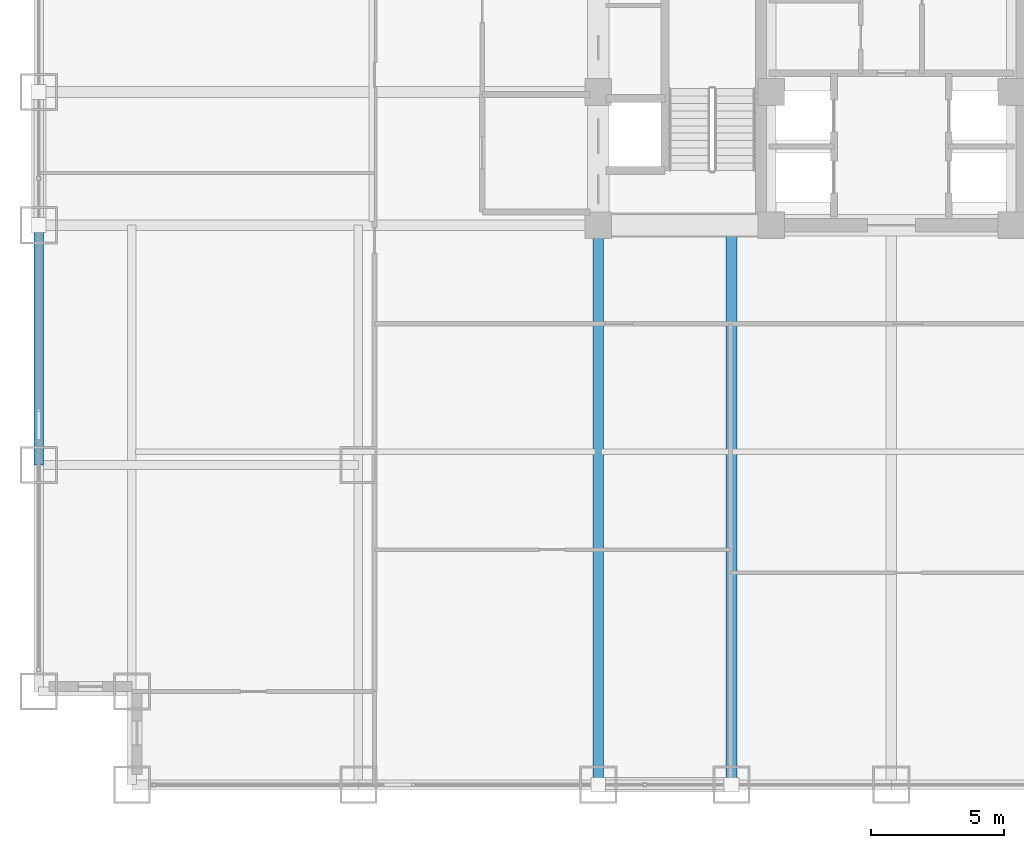
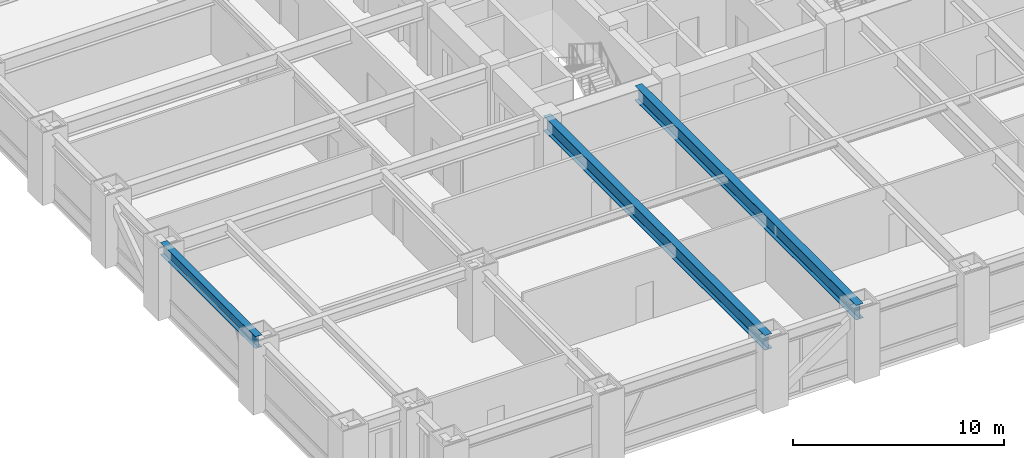
# One storey, part 5 of 28: 3 beams.
"""IFC4 building model written with IfcOpenShell, lengths in metres."""

from ifc_helpers import new_model, si_unit, direction, frame, origin, origin_2d, place, context, subcontext, project, spatial, i_section, extrude, source, transform, mapped, material, material_profile, profile_set, type_object, element, save


model = new_model("IFC4")

# Units and contexts
model_context = context("Model", 3, precision=1e-05, world=origin(), true_north=direction((0.0, 1.0)))
body_context = subcontext(model_context, "Body", "Model", "MODEL_VIEW")
ifc_project = project(units=[si_unit("LENGTHUNIT", "METRE"), si_unit("AREAUNIT", "SQUARE_METRE"), si_unit("VOLUMEUNIT", "CUBIC_METRE"), si_unit("PLANEANGLEUNIT", "RADIAN"), si_unit("MASSUNIT", "GRAM", prefix="KILO")], contexts=[model_context])

# Site, building, storey
site_placement = place(None, origin())
site = spatial("IfcSite", under=ifc_project, at=site_placement, CompositionType="ELEMENT")
building_placement = place(site_placement, origin())
building = spatial("IfcBuilding", under=site, at=building_placement, Name="Khorayat Bourse Tower", CompositionType="ELEMENT")
storey_placement = place(building_placement, frame((0.0, 0.0, 62.0)))
storey = spatial("IfcBuildingStorey", under=building, at=storey_placement, Name="L13", CompositionType="ELEMENT", Elevation=62.0)

# Beams
ifc_material = material(Name="Steel ASTM A992 Grade 50", Category="steel")
ifc_material_profile_1 = material_profile(ifc_material, i_section(OverallWidth=0.35498046875, OverallDepth=0.695068359375, WebThickness=0.015380859375, FlangeThickness=0.02490234375, FilletRadius=0.01806640625, at=origin_2d()), Name="W690X217")
ifc_profile_set_1 = profile_set([ifc_material_profile_1], Name="Steel ASTM A992 Grade 50")
beam_type_1 = type_object("IfcBeamType", Name="BM-SPAN-690", PredefinedType="SPANDREL", material=ifc_profile_set_1)
shared_shape_1 = source(origin(), body_context, "Body", "SweptSolid", [
    extrude(i_section(OverallWidth=0.35498046875, OverallDepth=0.695068359375, WebThickness=0.015380859375, FlangeThickness=0.02490234375, FilletRadius=0.01806640625, at=origin_2d()), origin(), (0.0, 0.0, 1.0), 9.0),
])
beam_placement = place(storey_placement, frame((-32.0, -20.0, 3.592529296875), z_axis=(0.0, 1.0, 0.0), x_axis=(-1.0, 0.0, 0.0)))
element("IfcBeam", 1, at=beam_placement, inside=storey, type_object=beam_type_1, Name="L13 BM-SPAN-690 BM-L13-SPN-060", PredefinedType="SPANDREL", context=body_context, shape_type="MappedRepresentation", body=[
    mapped(shared_shape_1, transform((0.0, 0.0, 0.0), scale=1.0)),
])
ifc_material_profile_2 = material_profile(ifc_material, i_section(OverallWidth=0.39990234375, OverallDepth=0.85498046875, WebThickness=0.018310546875, FlangeThickness=0.029296875, FilletRadius=0.02001953125, at=origin_2d()), Name="W840X299")
ifc_profile_set_2 = profile_set([ifc_material_profile_2], Name="Steel ASTM A992 Grade 50")
beam_type_2 = type_object("IfcBeamType", Name="BM-GIRD-840", PredefinedType="BEAM", material=ifc_profile_set_2)
shared_shape_2 = source(origin(), body_context, "Body", "SweptSolid", [
    extrude(i_section(OverallWidth=0.39990234375, OverallDepth=0.85498046875, WebThickness=0.018310546875, FlangeThickness=0.029296875, FilletRadius=0.02001953125, at=origin_2d()), origin(), (0.0, 0.0, 1.0), 21.0),
])
for number, where, z_axis, x_axis, name in (
    (2, (-11.0, -32.0, 3.512451171875), (0.0, 1.0, 0.0), (-1.0, 0.0, 0.0), "L13 BM-GIRD-840 BM-L13-RADY-065"),
    (3, (-6.0, -32.0, 3.512451171875), (0.0, 1.0, 0.0), (-1.0, 0.0, 0.0), "L13 BM-GIRD-840 BM-L13-RADY-067"),
):
    element("IfcBeam", number, at=place(storey_placement, frame(where, z_axis=z_axis, x_axis=x_axis)), inside=storey, type_object=beam_type_2, Name=name, PredefinedType="BEAM", context=body_context, shape_type="MappedRepresentation", body=[
        mapped(shared_shape_2, transform((0.0, 0.0, 0.0), scale=1.0)),
    ])

save(model, "model.ifc")
